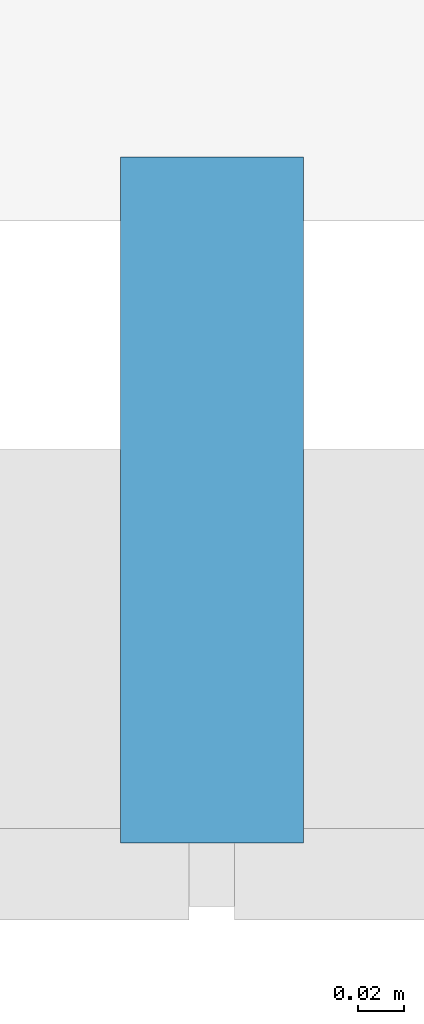
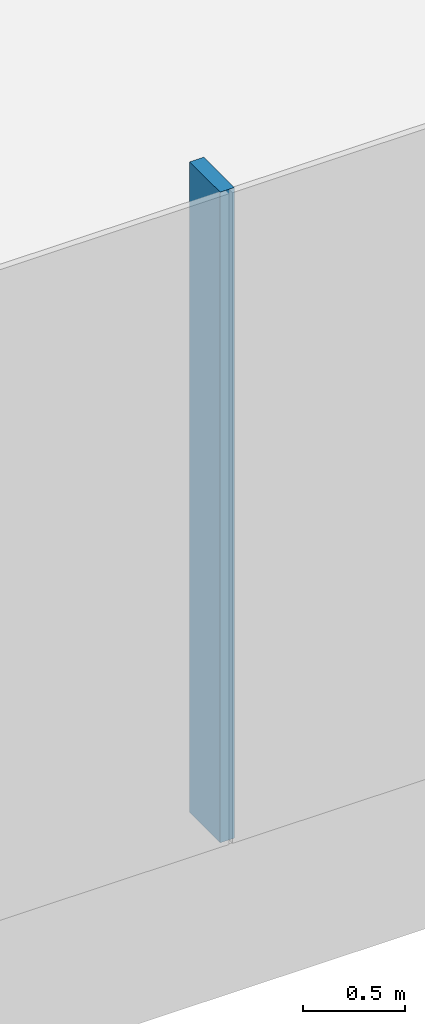
# One storey, part 12 of 53: 1 member, 1 element without a shape of its own.
"""IFC4 building model written with IfcOpenShell, lengths in metres."""

from ifc_helpers import new_model, si_unit, direction, frame, origin, origin_2d, place, context, subcontext, project, spatial, rectangle, extrude, material, layer, layer_set, material_profile, profile_set, type_object, element, aggregate, save


model = new_model("IFC4")

# Units and contexts
model_context = context("Model", 3, precision=1e-05, world=origin(), true_north=direction((0.0, 1.0)))
body_context = subcontext(model_context, "Body", "Model", "MODEL_VIEW")
ifc_project = project(units=[si_unit("LENGTHUNIT", "METRE"), si_unit("AREAUNIT", "SQUARE_METRE"), si_unit("VOLUMEUNIT", "CUBIC_METRE"), si_unit("PLANEANGLEUNIT", "RADIAN"), si_unit("MASSUNIT", "GRAM", prefix="KILO")], contexts=[model_context])

# Site, building, storey
site_placement = place(None, origin())
site = spatial("IfcSite", under=ifc_project, at=site_placement, CompositionType="ELEMENT")
building_placement = place(site_placement, origin())
building = spatial("IfcBuilding", under=site, at=building_placement, Name="Hakoniwa Tower and Hamabe Station Hall", CompositionType="ELEMENT")
storey_placement = place(building_placement, frame((0.0, 0.0, 15.0)))
storey = spatial("IfcBuildingStorey", under=building, at=storey_placement, Name="L03", CompositionType="ELEMENT", Elevation=15.0)

# Curtain wall, member
ifc_material_1 = material(Name="Dark low-e laminated glass", Category="glass")
ifc_layer = layer(ifc_material_1, 0.199951171875)
ifc_layer_set = layer_set([ifc_layer], Name="CW-7 STATION")
curtain_wall_type = type_object("IfcCurtainWallType", Name="CW-7 STATION", PredefinedType="NOTDEFINED", material=ifc_layer_set)
curtain_wall_placement = place(storey_placement, origin())
curtain_wall = element("IfcCurtainWall", 1, at=curtain_wall_placement, inside=storey, type_object=curtain_wall_type, Name="Station curtain wall L03 south", PredefinedType="NOTDEFINED")
ifc_material_2 = material(Name="Aluminium 6063-T5 black anodised", Category="aluminium")
ifc_material_profile = material_profile(ifc_material_2, rectangle(XDim=0.080078125, YDim=0.300048828125, at=origin_2d()), Name="CW-3 MULLION 80X300")
ifc_profile_set = profile_set([ifc_material_profile], Name="Aluminium 6063-T5 black anodised")
member_type = type_object("IfcMemberType", Name="CW-3 MULLION 80X300", PredefinedType="MULLION", material=ifc_profile_set)
member_placement = place(storey_placement, frame((135.8701171875, -24.1220703125, 0.35009765625), z_axis=(0.0, 0.0, 1.0), x_axis=(1.0, 0.0, 0.0)))
member = element("IfcMember", 2, at=member_placement, type_object=member_type, Name="CW-7 mullion", PredefinedType="MULLION", context=body_context, shape_type="SweptSolid", body=[
    extrude(rectangle(XDim=0.080078125, YDim=0.300048828125, at=origin_2d()), origin(), (0.0, 0.0, 1.0), 3.89990234375),
])
aggregate(curtain_wall, [member])

save(model, "model.ifc")
